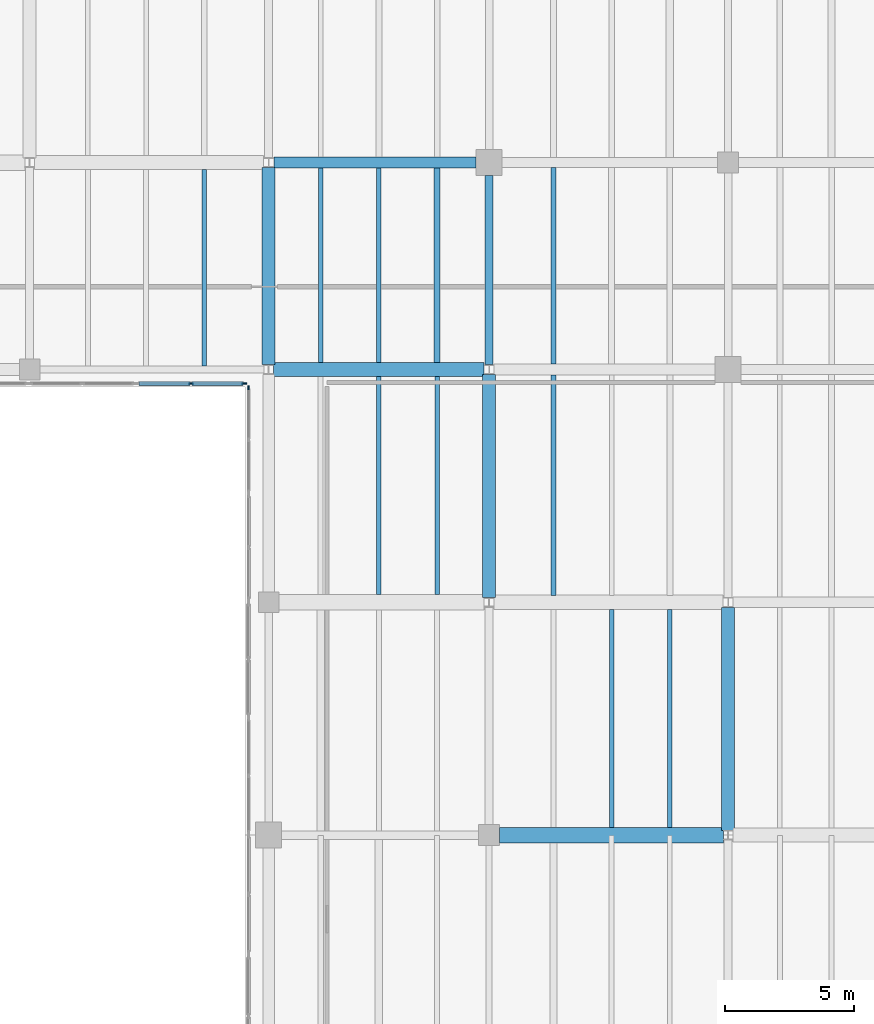
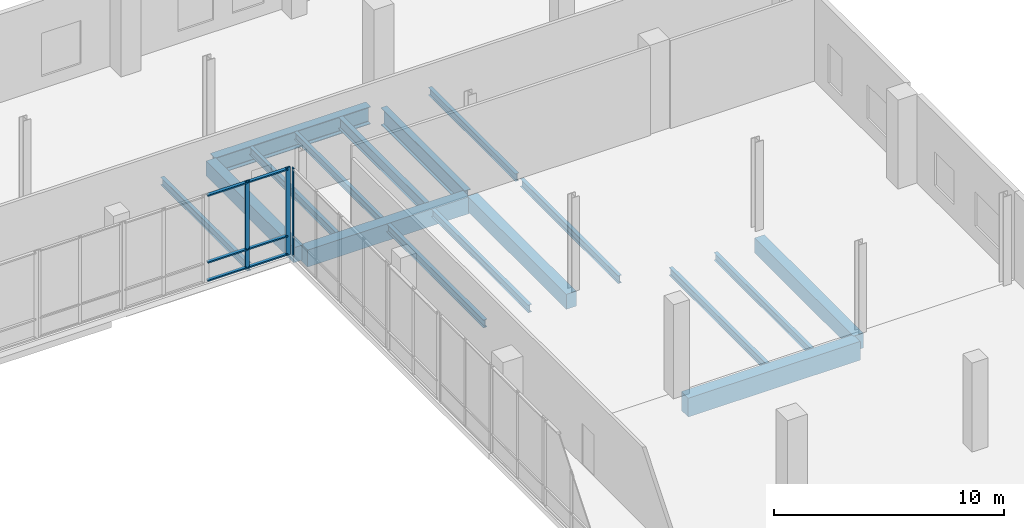
# One storey, part 48 of 81: 17 beams, 9 members, 2 elements without a shape of their own.
"""IFC4 building model written with IfcOpenShell, lengths in metres."""

import ifcopenshell
import ifcopenshell.guid

model = None  # the IFC model being written
_history = None  # IfcOwnerHistory: only IFC2X3 demands one
_inside = {}  # id of a spatial element -> (the spatial element, [elements in it])
_under = {}  # id of a project, library or spatial element -> (it, [spatial elements below it])
_declared = {}  # id of a project -> (the project, [libraries it declares])
_typed = {}  # id of a type object -> (the type object, [elements of that type])
_made_of = {}  # id of a material, layer set ... -> (it, [elements and type objects made of it])


def new_model(schema):
    """Start an empty IFC model of exactly this schema.

    Asked for "IFC4X3", IfcOpenShell would pick the latest addendum, in which some entities
    have other attributes; the version numbers below select the first issue.
    IFC2X3 requires an IfcOwnerHistory on every rooted entity: one is made here for all.
    """
    global model, _history
    if schema == "IFC4X3":
        model = ifcopenshell.file(schema_version=(4, 3, 0, 0))
    else:
        model = ifcopenshell.file(schema=schema)
    _inside.clear()
    _under.clear()
    _declared.clear()
    _typed.clear()
    _made_of.clear()
    _history = None
    if model.schema == "IFC2X3":
        org = make("IfcOrganization", Name="unknown")
        user = make(
            "IfcPersonAndOrganization",
            ThePerson=make("IfcPerson", FamilyName="unknown"),
            TheOrganization=org,
        )
        app = make(
            "IfcApplication",
            ApplicationDeveloper=org,
            Version="unknown",
            ApplicationFullName="unknown",
            ApplicationIdentifier="unknown",
        )
        _history = make(
            "IfcOwnerHistory",
            OwningUser=user,
            OwningApplication=app,
            ChangeAction="ADDED",
            CreationDate=0,
        )
    return model


def make(cls, **values):
    """One entity of the class cls with the attributes given. An attribute that is None is left unset."""
    return model.create_entity(
        cls, **{name: value for name, value in values.items() if value is not None}
    )


def rooted(cls, **values):
    """An entity with a GlobalId (a new one), such as an element, a storey or a relation."""
    return make(cls, GlobalId=ifcopenshell.guid.new(), OwnerHistory=_history, **values)


def si_unit(unit_type, name, prefix=None):
    """IfcSIUnit, for example si_unit("LENGTHUNIT", "METRE", prefix="MILLI")."""
    return make("IfcSIUnit", UnitType=unit_type, Prefix=prefix, Name=name)


def assignment(units):
    """IfcUnitAssignment: the units of a project."""
    return None if units is None else make("IfcUnitAssignment", Units=units)


def point(xyz):
    """IfcCartesianPoint."""
    return None if xyz is None else make("IfcCartesianPoint", Coordinates=xyz)


def direction(xyz):
    """IfcDirection."""
    return None if xyz is None else make("IfcDirection", DirectionRatios=xyz)


def frame(location, z_axis=None, x_axis=None):
    """IfcAxis2Placement3D, a coordinate frame: its origin and axes. An axis left out is left unset."""
    return make(
        "IfcAxis2Placement3D",
        Location=point(location),
        Axis=direction(z_axis),
        RefDirection=direction(x_axis),
    )


def frame_2d(location, x_axis=None):
    """IfcAxis2Placement2D, a coordinate frame in the plane: its origin and x axis."""
    return make(
        "IfcAxis2Placement2D", Location=point(location), RefDirection=direction(x_axis)
    )


def origin():
    """The frame at (0, 0, 0) with its axes left unset."""
    return frame((0.0, 0.0, 0.0))


def origin_2d():
    """The frame at (0, 0) in the plane with its x axis left unset."""
    return frame_2d((0.0, 0.0))


def place(relative_to, where):
    """IfcLocalPlacement: puts the frame where relative to a parent placement (None: the world)."""
    return make(
        "IfcLocalPlacement", PlacementRelTo=relative_to, RelativePlacement=where
    )


def context(
    kind, dimensions, precision=None, world=None, true_north=None, identifier=None
):
    """IfcGeometricRepresentationContext, for example the 3D "Model" context."""
    return make(
        "IfcGeometricRepresentationContext",
        ContextIdentifier=identifier,
        ContextType=kind,
        CoordinateSpaceDimension=dimensions,
        Precision=precision,
        WorldCoordinateSystem=world,
        TrueNorth=true_north,
    )


def subcontext(parent, identifier, kind, view, scale=None):
    """IfcGeometricRepresentationSubContext, for example "Body" below "Model"."""
    return make(
        "IfcGeometricRepresentationSubContext",
        ContextIdentifier=identifier,
        ContextType=kind,
        ParentContext=parent,
        TargetScale=scale,
        TargetView=view,
    )


def project(units=None, contexts=None):
    """IfcProject with its units and contexts."""
    return rooted(
        "IfcProject",
        Name="project",
        RepresentationContexts=contexts,
        UnitsInContext=assignment(units),
    )


def spatial(cls, under=None, at=None, **own):
    """A site, building, storey or space (cls), placed at a placement, below another one or the project."""
    s = rooted(cls, ObjectPlacement=at, **own)
    if under is not None:
        _under.setdefault(under.id(), (under, []))[1].append(s)
    return s


def profile(cls, at=None, kind="AREA", **sizes):
    """A parametric profile (cls). Its sizes go by their IFC names, for example OverallWidth=200.0."""
    return make(cls, ProfileType=kind, Position=at, **sizes)


def rectangle(**sizes):
    """IfcRectangleProfileDef."""
    return profile("IfcRectangleProfileDef", **sizes)


def i_section(**sizes):
    """IfcIShapeProfileDef."""
    return profile("IfcIShapeProfileDef", **sizes)


def extrude(swept, where, along, depth):
    """IfcExtrudedAreaSolid: the profile swept, set in the frame where, extruded along a direction by depth."""
    return make(
        "IfcExtrudedAreaSolid",
        SweptArea=swept,
        Position=where,
        ExtrudedDirection=direction(along),
        Depth=depth,
    )


def shape(context_of_items, identifier, shape_type, items):
    """IfcShapeRepresentation: the items that make up one representation, for example the "Body"."""
    return make(
        "IfcShapeRepresentation",
        ContextOfItems=context_of_items,
        RepresentationIdentifier=identifier,
        RepresentationType=shape_type,
        Items=items,
    )


def material(Name=None, Category=None):
    """IfcMaterial."""
    return make("IfcMaterial", Name=Name, Category=Category)


def material_profile(
    of_material, cross_section, Name=None, Category=None, Priority=None
):
    """IfcMaterialProfile: a cross section and its material."""
    return make(
        "IfcMaterialProfile",
        Name=Name,
        Material=of_material,
        Profile=cross_section,
        Priority=Priority,
        Category=Category,
    )


def profile_set(profiles, Name=None, composite=None):
    """IfcMaterialProfileSet."""
    return make(
        "IfcMaterialProfileSet",
        Name=Name,
        MaterialProfiles=profiles,
        CompositeProfile=composite,
    )


def made_of(thing, what):
    """Note that an element or type object is made of a material, layer set ...; save() writes the relation."""
    if what is not None:
        _made_of.setdefault(what.id(), (what, []))[1].append(thing)
    return thing


def type_object(cls, material=None, **own):
    """A type object (cls), such as IfcWallType, which elements share."""
    return made_of(rooted(cls, **own), material)


def element(
    cls,
    number,
    at=None,
    inside=None,
    cuts=None,
    type_object=None,
    material=None,
    context=None,
    identifier="Body",
    shape_type=None,
    held_by="IfcProductDefinitionShape",
    body=None,
    shapes=None,
    **own,
):
    """One element of the class cls, such as IfcWall. Its Tag is "e" and its number.

    at: its placement. inside: the storey or other place that contains it. cuts: it is an
    opening in that element (IfcRelVoidsElement). A single representation is given by context,
    identifier, shape_type and body (its items); several are given by shapes. held_by: the class
    of the entity that holds the representations. save() writes the other relations.
    """
    e = rooted(cls, Tag="e%d" % number, ObjectPlacement=at, **own)
    if body is not None:
        shapes = [shape(context, identifier, shape_type, body)]
    if shapes is not None:
        e.Representation = make(held_by, Representations=shapes)
    if inside is not None:
        _inside.setdefault(inside.id(), (inside, []))[1].append(e)
    if cuts is not None:
        rooted(
            "IfcRelVoidsElement", RelatingBuildingElement=cuts, RelatedOpeningElement=e
        )
    if type_object is not None:
        _typed.setdefault(type_object.id(), (type_object, []))[1].append(e)
    return made_of(e, material)


def aggregate(whole, parts):
    """IfcRelAggregates: a whole, such as a stair, and the parts it consists of."""
    return rooted("IfcRelAggregates", RelatingObject=whole, RelatedObjects=parts)


def save(model, path):
    """Write the relations noted so far, then the file.

    IfcRelAggregates (storeys below a building ...), IfcRelContainedInSpatialStructure (elements
    in a storey), IfcRelDefinesByType, IfcRelAssociatesMaterial and IfcRelDeclares: one each for
    every whole, place, type object, material and project.
    """
    for whole, parts in _under.values():
        aggregate(whole, parts)
    for where, things in _inside.values():
        rooted(
            "IfcRelContainedInSpatialStructure",
            RelatedElements=things,
            RelatingStructure=where,
        )
    for kind, things in _typed.values():
        rooted("IfcRelDefinesByType", RelatedObjects=things, RelatingType=kind)
    for what, things in _made_of.values():
        rooted("IfcRelAssociatesMaterial", RelatedObjects=things, RelatingMaterial=what)
    for by, libraries in _declared.values():
        rooted("IfcRelDeclares", RelatingContext=by, RelatedDefinitions=libraries)
    model.write(path)


model = new_model("IFC4")

# Units and contexts
model_context = context("Model", 3, precision=1e-05, world=origin(), true_north=direction((0.0, 1.0)))
body_context = subcontext(model_context, "Body", "Model", "MODEL_VIEW")
ifc_project = project(units=[si_unit("LENGTHUNIT", "METRE"), si_unit("AREAUNIT", "SQUARE_METRE"), si_unit("VOLUMEUNIT", "CUBIC_METRE"), si_unit("PLANEANGLEUNIT", "RADIAN"), si_unit("MASSUNIT", "GRAM", prefix="KILO")], contexts=[model_context])

# Site, building, storey
site_placement = place(None, origin())
site = spatial("IfcSite", under=ifc_project, at=site_placement, CompositionType="ELEMENT")
building_placement = place(site_placement, origin())
building = spatial("IfcBuilding", under=site, at=building_placement, Name="Trimount Lyric Opera House", CompositionType="ELEMENT")
storey_placement = place(building_placement, frame((0.0, 0.0, 5.0)))
storey = spatial("IfcBuildingStorey", under=building, at=storey_placement, Name="L01", CompositionType="ELEMENT", Elevation=5.0)

# Beams
ifc_material_1 = material(Name="Steel ASTM A992 Grade 50", Category="steel")
ifc_material_profile_1 = material_profile(ifc_material_1, i_section(OverallWidth=0.4189453125, OverallDepth=0.927001953125, WebThickness=0.019287109375, FlangeThickness=0.031982421875, FilletRadius=0.02392578125, at=origin_2d()), Name="W36X231")
ifc_profile_set_1 = profile_set([ifc_material_profile_1], Name="Steel ASTM A992 Grade 50")
beam_type_1 = type_object("IfcBeamType", Name="B-02", PredefinedType="BEAM", material=ifc_profile_set_1)
beam_1_placement = place(storey_placement, frame((148.439453125, 110.0, -0.7734375), z_axis=(1.0, 0.0, 0.0), x_axis=(0.0, 1.0, 0.0)))
element("IfcBeam", 1, at=beam_1_placement, inside=storey, type_object=beam_type_1, Name="L01 girder X-0572", PredefinedType="BEAM", context=body_context, shape_type="SweptSolid", body=[
    extrude(i_section(OverallWidth=0.4189453125, OverallDepth=0.927001953125, WebThickness=0.019287109375, FlangeThickness=0.031982421875, FilletRadius=0.02392578125, at=origin_2d()), origin(), (0.0, 0.0, 1.0), 7.820556640625),
])
ifc_material_2 = material(Name="Steel ASTM A992 Grade 50", Category="steel")
ifc_material_profile_2 = material_profile(ifc_material_2, i_section(OverallWidth=0.304931640625, OverallDepth=0.9189453125, WebThickness=0.017333984375, FlangeThickness=0.02783203125, FilletRadius=0.02001953125, at=origin_2d()), Name="W36X170")
ifc_profile_set_2 = profile_set([ifc_material_profile_2], Name="Steel ASTM A992 Grade 50")
beam_type_2 = type_object("IfcBeamType", Name="B-03", PredefinedType="BEAM", material=ifc_profile_set_2)
beam_2_placement = place(storey_placement, frame((156.760009765625, 102.193115234375, -0.76953125), z_axis=(0.0, 1.0, 0.0), x_axis=(-1.0, 0.0, 0.0)))
element("IfcBeam", 2, at=beam_2_placement, inside=storey, type_object=beam_type_2, Name="L01 girder Y-0696", PredefinedType="BEAM", context=body_context, shape_type="SweptSolid", body=[
    extrude(i_section(OverallWidth=0.304931640625, OverallDepth=0.9189453125, WebThickness=0.017333984375, FlangeThickness=0.02783203125, FilletRadius=0.02001953125, at=origin_2d()), origin(), (0.0, 0.0, 1.0), 7.306884765625),
])
ifc_material_3 = material(Name="Concrete C40/50", Category="concrete")
ifc_material_profile_3 = material_profile(ifc_material_3, rectangle(XDim=0.60009765625, YDim=1.0, at=origin_2d()), Name="RC600X1000")
ifc_profile_set_3 = profile_set([ifc_material_profile_3], Name="Concrete C40/50")
beam_type_3 = type_object("IfcBeamType", Name="B-13", PredefinedType="BEAM", material=ifc_profile_set_3)
beam_3_placement = place(storey_placement, frame((157.159912109375, 84.0, -0.81005859375), z_axis=(1.0, 0.0, 0.0), x_axis=(0.0, 1.0, 0.0)))
element("IfcBeam", 3, at=beam_3_placement, inside=storey, type_object=beam_type_3, Name="L01 girder X-0541", PredefinedType="BEAM", context=body_context, shape_type="SweptSolid", body=[
    extrude(rectangle(XDim=0.60009765625, YDim=1.0, at=origin_2d()), origin(), (0.0, 0.0, 1.0), 8.653564453125),
])
ifc_material_4 = material(Name="Concrete C40/50", Category="concrete")
ifc_material_profile_4 = material_profile(ifc_material_4, rectangle(XDim=0.550048828125, YDim=0.89990234375, at=origin_2d()), Name="RC550X900")
ifc_profile_set_4 = profile_set([ifc_material_profile_4], Name="Concrete C40/50")
beam_type_4 = type_object("IfcBeamType", Name="B-14", PredefinedType="BEAM", material=ifc_profile_set_4)
beam_4_placement = place(storey_placement, frame((148.426513671875, 102.0, -0.760009765625), z_axis=(1.0, 0.0, 0.0), x_axis=(0.0, 1.0, 0.0)))
element("IfcBeam", 4, at=beam_4_placement, inside=storey, type_object=beam_type_4, Name="L01 girder X-0560", PredefinedType="BEAM", context=body_context, shape_type="SweptSolid", body=[
    extrude(rectangle(XDim=0.550048828125, YDim=0.89990234375, at=origin_2d()), origin(), (0.0, 0.0, 1.0), 8.134033203125),
])
ifc_material_5 = material(Name="Concrete C40/50", Category="concrete")
ifc_material_profile_5 = material_profile(ifc_material_5, rectangle(XDim=0.5, YDim=0.800048828125, at=origin_2d()), Name="RC500X800")
ifc_profile_set_5 = profile_set([ifc_material_profile_5], Name="Concrete C40/50")
beam_type_5 = type_object("IfcBeamType", Name="B-15", PredefinedType="BEAM", material=ifc_profile_set_5)
beam_5_placement = place(storey_placement, frame((148.239990234375, 102.18408203125, -0.7099609375), z_axis=(0.0, 1.0, 0.0), x_axis=(-1.0, 0.0, 0.0)))
element("IfcBeam", 5, at=beam_5_placement, inside=storey, type_object=beam_type_5, Name="L01 girder Y-0689", PredefinedType="BEAM", context=body_context, shape_type="SweptSolid", body=[
    extrude(rectangle(XDim=0.5, YDim=0.800048828125, at=origin_2d()), origin(), (0.0, 0.0, 1.0), 7.622802734375),
])
for number, where, z_axis, x_axis, name in (
    (6, (156.760009765625, 93.18408203125, -0.7099609375), (0.0, 1.0, 0.0), (-1.0, 0.0, 0.0), "L01 girder Y-0695"),
    (7, (166.0, 84.18408203125, -0.7099609375), (0.0, 1.0, 0.0), (-1.0, 0.0, 0.0), "L01 girder Y-0702"),
):
    element("IfcBeam", number, at=place(storey_placement, frame(where, z_axis=z_axis, x_axis=x_axis)), inside=storey, type_object=beam_type_5, Name=name, PredefinedType="BEAM", context=body_context, shape_type="SweptSolid", body=[
        extrude(rectangle(XDim=0.5, YDim=0.800048828125, at=origin_2d()), origin(), (0.0, 0.0, 1.0), 8.622802734375),
    ])
ifc_material_6 = material(Name="Steel ASTM A992 Grade 50", Category="steel")
ifc_material_profile_6 = material_profile(ifc_material_6, i_section(OverallWidth=0.22802734375, OverallDepth=0.60205078125, WebThickness=0.010498046875, FlangeThickness=0.014892578125, FilletRadius=0.012939453125, at=origin_2d()), Name="W24X68")
ifc_profile_set_6 = profile_set([ifc_material_profile_6], Name="Steel ASTM A992 Grade 50")
beam_type_6 = type_object("IfcBeamType", Name="J-01", PredefinedType="BEAM", material=ifc_profile_set_6)
beam_6_placement = place(storey_placement, frame((154.75, 102.27099609375, -0.611083984375), z_axis=(0.0, 1.0, 0.0), x_axis=(-1.0, 0.0, 0.0)))
element("IfcBeam", 8, at=beam_6_placement, inside=storey, type_object=beam_type_6, Name="L01 composite floor joist 0751", PredefinedType="BEAM", context=body_context, shape_type="SweptSolid", body=[
    extrude(i_section(OverallWidth=0.22802734375, OverallDepth=0.60205078125, WebThickness=0.010498046875, FlangeThickness=0.014892578125, FilletRadius=0.012939453125, at=origin_2d()), origin(), (0.0, 0.0, 1.0), 7.5234375),
])
ifc_material_7 = material(Name="Steel ASTM A992 Grade 50", Category="steel")
ifc_material_profile_7 = material_profile(ifc_material_7, i_section(OverallWidth=0.180908203125, OverallDepth=0.4169921875, WebThickness=0.010986328125, FlangeThickness=0.018310546875, FilletRadius=0.010986328125, at=origin_2d()), Name="W16X57")
ifc_profile_set_7 = profile_set([ifc_material_profile_7], Name="Steel ASTM A992 Grade 50")
beam_type_7 = type_object("IfcBeamType", Name="J-05", PredefinedType="BEAM", material=ifc_profile_set_7)
beam_7_placement = place(storey_placement, frame((152.5, 93.2958984375, -0.5185546875), z_axis=(0.0, 1.0, 0.0), x_axis=(-1.0, 0.0, 0.0)))
element("IfcBeam", 9, at=beam_7_placement, inside=storey, type_object=beam_type_7, Name="L01 composite floor joist 0747", PredefinedType="BEAM", context=body_context, shape_type="SweptSolid", body=[
    extrude(i_section(OverallWidth=0.180908203125, OverallDepth=0.4169921875, WebThickness=0.010986328125, FlangeThickness=0.018310546875, FilletRadius=0.010986328125, at=origin_2d()), origin(), (0.0, 0.0, 1.0), 8.43310546875),
])
beam_8_placement = place(storey_placement, frame((150.25, 102.27099609375, -0.5185546875), z_axis=(0.0, 1.0, 0.0), x_axis=(-1.0, 0.0, 0.0)))
element("IfcBeam", 10, at=beam_8_placement, inside=storey, type_object=beam_type_7, Name="L01 composite floor joist 0749", PredefinedType="BEAM", context=body_context, shape_type="SweptSolid", body=[
    extrude(i_section(OverallWidth=0.180908203125, OverallDepth=0.4169921875, WebThickness=0.010986328125, FlangeThickness=0.018310546875, FilletRadius=0.010986328125, at=origin_2d()), origin(), (0.0, 0.0, 1.0), 7.5234375),
])
beam_9_placement = place(storey_placement, frame((161.5, 84.2958984375, -0.5185546875), z_axis=(0.0, 1.0, 0.0), x_axis=(-1.0, 0.0, 0.0)))
element("IfcBeam", 11, at=beam_9_placement, inside=storey, type_object=beam_type_7, Name="L01 composite floor joist 0768", PredefinedType="BEAM", context=body_context, shape_type="SweptSolid", body=[
    extrude(i_section(OverallWidth=0.180908203125, OverallDepth=0.4169921875, WebThickness=0.010986328125, FlangeThickness=0.018310546875, FilletRadius=0.010986328125, at=origin_2d()), origin(), (0.0, 0.0, 1.0), 8.43310546875),
])
beam_10_placement = place(storey_placement, frame((159.25, 93.27099609375, -0.5185546875), z_axis=(0.0, 1.0, 0.0), x_axis=(-1.0, 0.0, 0.0)))
element("IfcBeam", 12, at=beam_10_placement, inside=storey, type_object=beam_type_7, Name="L01 composite floor joist 0770", PredefinedType="BEAM", context=body_context, shape_type="SweptSolid", body=[
    extrude(i_section(OverallWidth=0.180908203125, OverallDepth=0.4169921875, WebThickness=0.010986328125, FlangeThickness=0.018310546875, FilletRadius=0.010986328125, at=origin_2d()), origin(), (0.0, 0.0, 1.0), 8.5234375),
])
ifc_material_8 = material(Name="Steel ASTM A992 Grade 50", Category="steel")
ifc_material_profile_8 = material_profile(ifc_material_8, i_section(OverallWidth=0.177978515625, OverallDepth=0.404052734375, WebThickness=0.007568359375, FlangeThickness=0.010986328125, FilletRadius=0.010009765625, at=origin_2d()), Name="W16X36")
ifc_profile_set_8 = profile_set([ifc_material_profile_8], Name="Steel ASTM A992 Grade 50")
beam_type_8 = type_object("IfcBeamType", Name="J-06", PredefinedType="BEAM", material=ifc_profile_set_8)
beam_11_placement = place(storey_placement, frame((145.75, 102.136962890625, -0.511962890625), z_axis=(0.0, 1.0, 0.0), x_axis=(-1.0, 0.0, 0.0)))
element("IfcBeam", 13, at=beam_11_placement, inside=storey, type_object=beam_type_8, Name="L01 composite floor joist 0730", PredefinedType="BEAM", context=body_context, shape_type="SweptSolid", body=[
    extrude(i_section(OverallWidth=0.177978515625, OverallDepth=0.404052734375, WebThickness=0.007568359375, FlangeThickness=0.010986328125, FilletRadius=0.010009765625, at=origin_2d()), origin(), (0.0, 0.0, 1.0), 7.592041015625),
])
beam_12_placement = place(storey_placement, frame((154.75, 93.2958984375, -0.511962890625), z_axis=(0.0, 1.0, 0.0), x_axis=(-1.0, 0.0, 0.0)))
element("IfcBeam", 14, at=beam_12_placement, inside=storey, type_object=beam_type_8, Name="L01 composite floor joist 0748", PredefinedType="BEAM", context=body_context, shape_type="SweptSolid", body=[
    extrude(i_section(OverallWidth=0.177978515625, OverallDepth=0.404052734375, WebThickness=0.007568359375, FlangeThickness=0.010986328125, FilletRadius=0.010009765625, at=origin_2d()), origin(), (0.0, 0.0, 1.0), 8.43310546875),
])
beam_13_placement = place(storey_placement, frame((152.5, 102.27099609375, -0.511962890625), z_axis=(0.0, 1.0, 0.0), x_axis=(-1.0, 0.0, 0.0)))
element("IfcBeam", 15, at=beam_13_placement, inside=storey, type_object=beam_type_8, Name="L01 composite floor joist 0750", PredefinedType="BEAM", context=body_context, shape_type="SweptSolid", body=[
    extrude(i_section(OverallWidth=0.177978515625, OverallDepth=0.404052734375, WebThickness=0.007568359375, FlangeThickness=0.010986328125, FilletRadius=0.010009765625, at=origin_2d()), origin(), (0.0, 0.0, 1.0), 7.5234375),
])
beam_14_placement = place(storey_placement, frame((163.75, 84.2958984375, -0.511962890625), z_axis=(0.0, 1.0, 0.0), x_axis=(-1.0, 0.0, 0.0)))
element("IfcBeam", 16, at=beam_14_placement, inside=storey, type_object=beam_type_8, Name="L01 composite floor joist 0769", PredefinedType="BEAM", context=body_context, shape_type="SweptSolid", body=[
    extrude(i_section(OverallWidth=0.177978515625, OverallDepth=0.404052734375, WebThickness=0.007568359375, FlangeThickness=0.010986328125, FilletRadius=0.010009765625, at=origin_2d()), origin(), (0.0, 0.0, 1.0), 8.43310546875),
])
beam_15_placement = place(storey_placement, frame((159.25, 102.20556640625, -0.511962890625), z_axis=(0.0, 1.0, 0.0), x_axis=(-1.0, 0.0, 0.0)))
element("IfcBeam", 17, at=beam_15_placement, inside=storey, type_object=beam_type_8, Name="L01 composite floor joist 0773", PredefinedType="BEAM", context=body_context, shape_type="SweptSolid", body=[
    extrude(i_section(OverallWidth=0.177978515625, OverallDepth=0.404052734375, WebThickness=0.007568359375, FlangeThickness=0.010986328125, FilletRadius=0.010009765625, at=origin_2d()), origin(), (0.0, 0.0, 1.0), 7.597900390625),
])

# Curtain wall, members
ifc_material_9 = material(Name="Thermally Broken Aluminium and Low-E Glass", Category="aluminium")
curtain_wall_type = type_object("IfcCurtainWallType", Name="CW-03", PredefinedType="NOTDEFINED", material=ifc_material_9)
curtain_wall_1_placement = place(storey_placement, origin())
curtain_wall_1 = element("IfcCurtainWall", 18, at=curtain_wall_1_placement, inside=storey, type_object=curtain_wall_type, Name="L01 curtain wall 132", PredefinedType="NOTDEFINED")
ifc_material_10 = material(Name="Anodised Aluminium 6063-T6", Category="aluminium")
ifc_material_profile_9 = material_profile(ifc_material_10, rectangle(XDim=0.070068359375, YDim=0.219970703125, at=origin_2d()), Name="ALU-MULL-70X220")
ifc_profile_set_9 = profile_set([ifc_material_profile_9], Name="Anodised Aluminium 6063-T6")
member_type_1 = type_object("IfcMemberType", Name="ML-01", PredefinedType="MULLION", material=ifc_profile_set_9)
member_1_placement = place(storey_placement, frame((147.284912109375, 101.4599609375, 0.0), z_axis=(0.0, 0.0, 1.0), x_axis=(0.0, -1.0, 0.0)))
member_1 = element("IfcMember", 19, at=member_1_placement, type_object=member_type_1, Name="CW-03 mullion 1", PredefinedType="MULLION", context=body_context, shape_type="SweptSolid", body=[
    extrude(rectangle(XDim=0.070068359375, YDim=0.219970703125, at=origin_2d()), origin(), (0.0, 0.0, 1.0), 4.679931640625),
])
member_2_placement = place(storey_placement, frame((145.239990234375, 101.4599609375, 0.0), z_axis=(0.0, 0.0, 1.0), x_axis=(0.0, -1.0, 0.0)))
member_2 = element("IfcMember", 20, at=member_2_placement, type_object=member_type_1, Name="CW-03 mullion 2", PredefinedType="MULLION", context=body_context, shape_type="SweptSolid", body=[
    extrude(rectangle(XDim=0.070068359375, YDim=0.219970703125, at=origin_2d()), origin(), (0.0, 0.0, 1.0), 4.679931640625),
])

# Curtain wall, member
curtain_wall_2_placement = place(storey_placement, origin())
curtain_wall_2 = element("IfcCurtainWall", 21, at=curtain_wall_2_placement, inside=storey, type_object=curtain_wall_type, Name="L01 curtain wall 131", PredefinedType="NOTDEFINED")
ifc_material_11 = material(Name="Anodised Aluminium 6063-T6", Category="aluminium")
ifc_material_profile_10 = material_profile(ifc_material_11, rectangle(XDim=0.06005859375, YDim=0.14990234375, at=origin_2d()), Name="ALU-MULL-60X150")
ifc_profile_set_10 = profile_set([ifc_material_profile_10], Name="Anodised Aluminium 6063-T6")
member_type_2 = type_object("IfcMemberType", Name="ML-03", PredefinedType="MULLION", material=ifc_profile_set_10)
member_3_placement = place(storey_placement, frame((147.4599609375, 101.2900390625, 0.0), z_axis=(0.0, 0.0, 1.0), x_axis=(-1.0, 0.0, 0.0)))
member_3 = element("IfcMember", 22, at=member_3_placement, type_object=member_type_2, Name="CW-03 mullion 3", PredefinedType="MULLION", context=body_context, shape_type="SweptSolid", body=[
    extrude(rectangle(XDim=0.06005859375, YDim=0.14990234375, at=origin_2d()), origin(), (0.0, 0.0, 1.0), 4.679931640625),
])
aggregate(curtain_wall_2, [member_3])

# Member
ifc_material_12 = material(Name="Anodised Aluminium 6063-T6", Category="aluminium")
ifc_material_profile_11 = material_profile(ifc_material_12, rectangle(XDim=0.159912109375, YDim=0.070068359375, at=origin_2d()), Name="ALU-TRAN-70X160")
ifc_profile_set_11 = profile_set([ifc_material_profile_11], Name="Anodised Aluminium 6063-T6")
member_type_3 = type_object("IfcMemberType", Name="TR-01", PredefinedType="USERDEFINED", material=ifc_profile_set_11)
member_4_placement = place(storey_placement, frame((147.25, 101.4599609375, 0.080078125), z_axis=(-1.0, 0.0, 0.0), x_axis=(0.0, -1.0, 0.0)))
member_4 = element("IfcMember", 23, at=member_4_placement, type_object=member_type_3, Name="CW-03 transom 1.1", ObjectType="TRANSOM", PredefinedType="USERDEFINED", context=body_context, shape_type="SweptSolid", body=[
    extrude(rectangle(XDim=0.159912109375, YDim=0.070068359375, at=origin_2d()), origin(), (0.0, 0.0, 1.0), 1.97509765625),
])

member_5_placement = place(storey_placement, frame((147.25, 101.4599609375, 1.050048828125), z_axis=(-1.0, 0.0, 0.0), x_axis=(0.0, -1.0, 0.0)))
member_5 = element("IfcMember", 24, at=member_5_placement, type_object=member_type_3, Name="CW-03 transom 1.2", ObjectType="TRANSOM", PredefinedType="USERDEFINED", context=body_context, shape_type="SweptSolid", body=[
    extrude(rectangle(XDim=0.159912109375, YDim=0.070068359375, at=origin_2d()), origin(), (0.0, 0.0, 1.0), 1.97509765625),
])

member_6_placement = place(storey_placement, frame((147.25, 101.4599609375, 4.60009765625), z_axis=(-1.0, 0.0, 0.0), x_axis=(0.0, -1.0, 0.0)))
member_6 = element("IfcMember", 25, at=member_6_placement, type_object=member_type_3, Name="CW-03 transom 1.3", ObjectType="TRANSOM", PredefinedType="USERDEFINED", context=body_context, shape_type="SweptSolid", body=[
    extrude(rectangle(XDim=0.159912109375, YDim=0.070068359375, at=origin_2d()), origin(), (0.0, 0.0, 1.0), 1.97509765625),
])

member_7_placement = place(storey_placement, frame((145.205078125, 101.4599609375, 0.080078125), z_axis=(-1.0, 0.0, 0.0), x_axis=(0.0, -1.0, 0.0)))
member_7 = element("IfcMember", 26, at=member_7_placement, type_object=member_type_3, Name="CW-03 transom 2.1", ObjectType="TRANSOM", PredefinedType="USERDEFINED", context=body_context, shape_type="SweptSolid", body=[
    extrude(rectangle(XDim=0.159912109375, YDim=0.070068359375, at=origin_2d()), origin(), (0.0, 0.0, 1.0), 1.97509765625),
])

member_8_placement = place(storey_placement, frame((145.205078125, 101.4599609375, 1.050048828125), z_axis=(-1.0, 0.0, 0.0), x_axis=(0.0, -1.0, 0.0)))
member_8 = element("IfcMember", 27, at=member_8_placement, type_object=member_type_3, Name="CW-03 transom 2.2", ObjectType="TRANSOM", PredefinedType="USERDEFINED", context=body_context, shape_type="SweptSolid", body=[
    extrude(rectangle(XDim=0.159912109375, YDim=0.070068359375, at=origin_2d()), origin(), (0.0, 0.0, 1.0), 1.97509765625),
])

member_9_placement = place(storey_placement, frame((145.205078125, 101.4599609375, 4.60009765625), z_axis=(-1.0, 0.0, 0.0), x_axis=(0.0, -1.0, 0.0)))
member_9 = element("IfcMember", 28, at=member_9_placement, type_object=member_type_3, Name="CW-03 transom 2.3", ObjectType="TRANSOM", PredefinedType="USERDEFINED", context=body_context, shape_type="SweptSolid", body=[
    extrude(rectangle(XDim=0.159912109375, YDim=0.070068359375, at=origin_2d()), origin(), (0.0, 0.0, 1.0), 1.97509765625),
])

aggregate(curtain_wall_1, [member_1, member_2, member_4, member_5, member_6, member_7, member_8, member_9])

save(model, "model.ifc")
